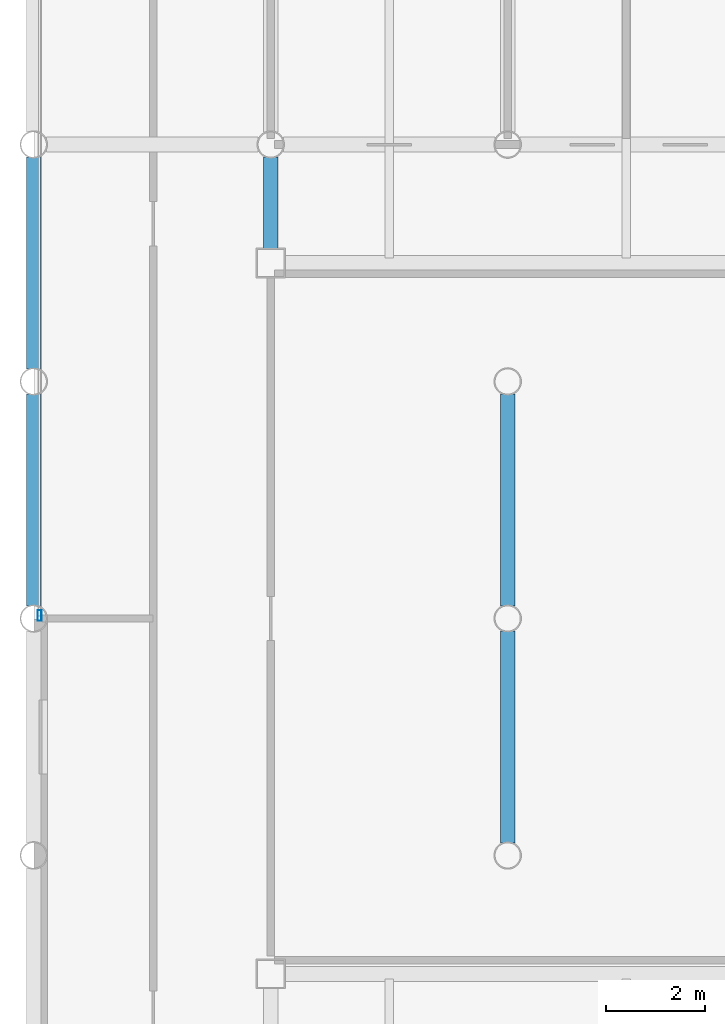
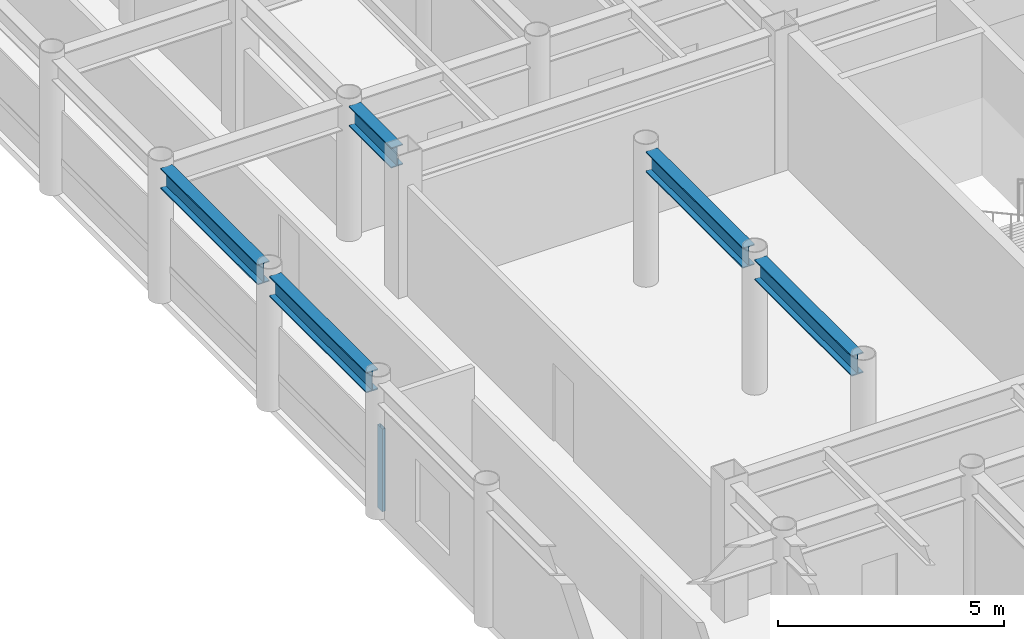
# One storey, part 6 of 22: 5 beams, 1 member, 1 element without a shape of its own.
"""IFC4 building model written with IfcOpenShell, lengths in metres."""

import ifcopenshell
import ifcopenshell.guid

model = None  # the IFC model being written
_history = None  # IfcOwnerHistory: only IFC2X3 demands one
_inside = {}  # id of a spatial element -> (the spatial element, [elements in it])
_under = {}  # id of a project, library or spatial element -> (it, [spatial elements below it])
_declared = {}  # id of a project -> (the project, [libraries it declares])
_typed = {}  # id of a type object -> (the type object, [elements of that type])
_made_of = {}  # id of a material, layer set ... -> (it, [elements and type objects made of it])


def new_model(schema):
    """Start an empty IFC model of exactly this schema.

    Asked for "IFC4X3", IfcOpenShell would pick the latest addendum, in which some entities
    have other attributes; the version numbers below select the first issue.
    IFC2X3 requires an IfcOwnerHistory on every rooted entity: one is made here for all.
    """
    global model, _history
    if schema == "IFC4X3":
        model = ifcopenshell.file(schema_version=(4, 3, 0, 0))
    else:
        model = ifcopenshell.file(schema=schema)
    _inside.clear()
    _under.clear()
    _declared.clear()
    _typed.clear()
    _made_of.clear()
    _history = None
    if model.schema == "IFC2X3":
        org = make("IfcOrganization", Name="unknown")
        user = make(
            "IfcPersonAndOrganization",
            ThePerson=make("IfcPerson", FamilyName="unknown"),
            TheOrganization=org,
        )
        app = make(
            "IfcApplication",
            ApplicationDeveloper=org,
            Version="unknown",
            ApplicationFullName="unknown",
            ApplicationIdentifier="unknown",
        )
        _history = make(
            "IfcOwnerHistory",
            OwningUser=user,
            OwningApplication=app,
            ChangeAction="ADDED",
            CreationDate=0,
        )
    return model


def make(cls, **values):
    """One entity of the class cls with the attributes given. An attribute that is None is left unset."""
    return model.create_entity(
        cls, **{name: value for name, value in values.items() if value is not None}
    )


def rooted(cls, **values):
    """An entity with a GlobalId (a new one), such as an element, a storey or a relation."""
    return make(cls, GlobalId=ifcopenshell.guid.new(), OwnerHistory=_history, **values)


def si_unit(unit_type, name, prefix=None):
    """IfcSIUnit, for example si_unit("LENGTHUNIT", "METRE", prefix="MILLI")."""
    return make("IfcSIUnit", UnitType=unit_type, Prefix=prefix, Name=name)


def assignment(units):
    """IfcUnitAssignment: the units of a project."""
    return None if units is None else make("IfcUnitAssignment", Units=units)


def point(xyz):
    """IfcCartesianPoint."""
    return None if xyz is None else make("IfcCartesianPoint", Coordinates=xyz)


def direction(xyz):
    """IfcDirection."""
    return None if xyz is None else make("IfcDirection", DirectionRatios=xyz)


def frame(location, z_axis=None, x_axis=None):
    """IfcAxis2Placement3D, a coordinate frame: its origin and axes. An axis left out is left unset."""
    return make(
        "IfcAxis2Placement3D",
        Location=point(location),
        Axis=direction(z_axis),
        RefDirection=direction(x_axis),
    )


def frame_2d(location, x_axis=None):
    """IfcAxis2Placement2D, a coordinate frame in the plane: its origin and x axis."""
    return make(
        "IfcAxis2Placement2D", Location=point(location), RefDirection=direction(x_axis)
    )


def origin():
    """The frame at (0, 0, 0) with its axes left unset."""
    return frame((0.0, 0.0, 0.0))


def origin_2d():
    """The frame at (0, 0) in the plane with its x axis left unset."""
    return frame_2d((0.0, 0.0))


def place(relative_to, where):
    """IfcLocalPlacement: puts the frame where relative to a parent placement (None: the world)."""
    return make(
        "IfcLocalPlacement", PlacementRelTo=relative_to, RelativePlacement=where
    )


def context(
    kind, dimensions, precision=None, world=None, true_north=None, identifier=None
):
    """IfcGeometricRepresentationContext, for example the 3D "Model" context."""
    return make(
        "IfcGeometricRepresentationContext",
        ContextIdentifier=identifier,
        ContextType=kind,
        CoordinateSpaceDimension=dimensions,
        Precision=precision,
        WorldCoordinateSystem=world,
        TrueNorth=true_north,
    )


def subcontext(parent, identifier, kind, view, scale=None):
    """IfcGeometricRepresentationSubContext, for example "Body" below "Model"."""
    return make(
        "IfcGeometricRepresentationSubContext",
        ContextIdentifier=identifier,
        ContextType=kind,
        ParentContext=parent,
        TargetScale=scale,
        TargetView=view,
    )


def project(units=None, contexts=None):
    """IfcProject with its units and contexts."""
    return rooted(
        "IfcProject",
        Name="project",
        RepresentationContexts=contexts,
        UnitsInContext=assignment(units),
    )


def spatial(cls, under=None, at=None, **own):
    """A site, building, storey or space (cls), placed at a placement, below another one or the project."""
    s = rooted(cls, ObjectPlacement=at, **own)
    if under is not None:
        _under.setdefault(under.id(), (under, []))[1].append(s)
    return s


def profile(cls, at=None, kind="AREA", **sizes):
    """A parametric profile (cls). Its sizes go by their IFC names, for example OverallWidth=200.0."""
    return make(cls, ProfileType=kind, Position=at, **sizes)


def hollow_rectangle(**sizes):
    """IfcRectangleHollowProfileDef."""
    return profile("IfcRectangleHollowProfileDef", **sizes)


def i_section(**sizes):
    """IfcIShapeProfileDef."""
    return profile("IfcIShapeProfileDef", **sizes)


def extrude(swept, where, along, depth):
    """IfcExtrudedAreaSolid: the profile swept, set in the frame where, extruded along a direction by depth."""
    return make(
        "IfcExtrudedAreaSolid",
        SweptArea=swept,
        Position=where,
        ExtrudedDirection=direction(along),
        Depth=depth,
    )


def shape(context_of_items, identifier, shape_type, items):
    """IfcShapeRepresentation: the items that make up one representation, for example the "Body"."""
    return make(
        "IfcShapeRepresentation",
        ContextOfItems=context_of_items,
        RepresentationIdentifier=identifier,
        RepresentationType=shape_type,
        Items=items,
    )


def material(Name=None, Category=None):
    """IfcMaterial."""
    return make("IfcMaterial", Name=Name, Category=Category)


def layer(
    of_material, thickness, ventilated=None, Name=None, Category=None, Priority=None
):
    """IfcMaterialLayer: one layer of a wall or slab, of a material (None: an air gap)."""
    return make(
        "IfcMaterialLayer",
        Material=of_material,
        LayerThickness=thickness,
        IsVentilated=ventilated,
        Name=Name,
        Category=Category,
        Priority=Priority,
    )


def layer_set(layers, Name=None):
    """IfcMaterialLayerSet."""
    return make("IfcMaterialLayerSet", MaterialLayers=layers, LayerSetName=Name)


def material_profile(
    of_material, cross_section, Name=None, Category=None, Priority=None
):
    """IfcMaterialProfile: a cross section and its material."""
    return make(
        "IfcMaterialProfile",
        Name=Name,
        Material=of_material,
        Profile=cross_section,
        Priority=Priority,
        Category=Category,
    )


def profile_set(profiles, Name=None, composite=None):
    """IfcMaterialProfileSet."""
    return make(
        "IfcMaterialProfileSet",
        Name=Name,
        MaterialProfiles=profiles,
        CompositeProfile=composite,
    )


def made_of(thing, what):
    """Note that an element or type object is made of a material, layer set ...; save() writes the relation."""
    if what is not None:
        _made_of.setdefault(what.id(), (what, []))[1].append(thing)
    return thing


def type_object(cls, material=None, **own):
    """A type object (cls), such as IfcWallType, which elements share."""
    return made_of(rooted(cls, **own), material)


def element(
    cls,
    number,
    at=None,
    inside=None,
    cuts=None,
    type_object=None,
    material=None,
    context=None,
    identifier="Body",
    shape_type=None,
    held_by="IfcProductDefinitionShape",
    body=None,
    shapes=None,
    **own,
):
    """One element of the class cls, such as IfcWall. Its Tag is "e" and its number.

    at: its placement. inside: the storey or other place that contains it. cuts: it is an
    opening in that element (IfcRelVoidsElement). A single representation is given by context,
    identifier, shape_type and body (its items); several are given by shapes. held_by: the class
    of the entity that holds the representations. save() writes the other relations.
    """
    e = rooted(cls, Tag="e%d" % number, ObjectPlacement=at, **own)
    if body is not None:
        shapes = [shape(context, identifier, shape_type, body)]
    if shapes is not None:
        e.Representation = make(held_by, Representations=shapes)
    if inside is not None:
        _inside.setdefault(inside.id(), (inside, []))[1].append(e)
    if cuts is not None:
        rooted(
            "IfcRelVoidsElement", RelatingBuildingElement=cuts, RelatedOpeningElement=e
        )
    if type_object is not None:
        _typed.setdefault(type_object.id(), (type_object, []))[1].append(e)
    return made_of(e, material)


def aggregate(whole, parts):
    """IfcRelAggregates: a whole, such as a stair, and the parts it consists of."""
    return rooted("IfcRelAggregates", RelatingObject=whole, RelatedObjects=parts)


def save(model, path):
    """Write the relations noted so far, then the file.

    IfcRelAggregates (storeys below a building ...), IfcRelContainedInSpatialStructure (elements
    in a storey), IfcRelDefinesByType, IfcRelAssociatesMaterial and IfcRelDeclares: one each for
    every whole, place, type object, material and project.
    """
    for whole, parts in _under.values():
        aggregate(whole, parts)
    for where, things in _inside.values():
        rooted(
            "IfcRelContainedInSpatialStructure",
            RelatedElements=things,
            RelatingStructure=where,
        )
    for kind, things in _typed.values():
        rooted("IfcRelDefinesByType", RelatedObjects=things, RelatingType=kind)
    for what, things in _made_of.values():
        rooted("IfcRelAssociatesMaterial", RelatedObjects=things, RelatingMaterial=what)
    for by, libraries in _declared.values():
        rooted("IfcRelDeclares", RelatingContext=by, RelatedDefinitions=libraries)
    model.write(path)


model = new_model("IFC4")

# Units and contexts
model_context = context("Model", 3, precision=1e-05, world=origin(), true_north=direction((0.0, 1.0)))
body_context = subcontext(model_context, "Body", "Model", "MODEL_VIEW")
ifc_project = project(units=[si_unit("LENGTHUNIT", "METRE"), si_unit("AREAUNIT", "SQUARE_METRE"), si_unit("VOLUMEUNIT", "CUBIC_METRE"), si_unit("PLANEANGLEUNIT", "RADIAN"), si_unit("MASSUNIT", "GRAM", prefix="KILO")], contexts=[model_context])

# Site, building, storey
site_placement = place(None, origin())
site = spatial("IfcSite", under=ifc_project, at=site_placement, CompositionType="ELEMENT")
building_placement = place(site_placement, origin())
building = spatial("IfcBuilding", under=site, at=building_placement, Name="Kallvorn Hotel Tower", CompositionType="ELEMENT")
storey_placement = place(building_placement, frame((0.0, 0.0, 226.14990234375)))
storey = spatial("IfcBuildingStorey", under=building, at=storey_placement, Name="L56", CompositionType="ELEMENT", Elevation=226.14990234375)

# Beams
ifc_material_1 = material(Name="Structural steel S355JR", Category="steel")
ifc_material_profile_1 = material_profile(ifc_material_1, i_section(OverallWidth=0.300048828125, OverallDepth=0.550048828125, WebThickness=0.014892578125, FlangeThickness=0.029052734375, at=origin_2d()), Name="HE 550 B")
ifc_profile_set_1 = profile_set([ifc_material_profile_1], Name="Structural steel S355JR")
beam_type = type_object("IfcBeamType", Name="BM_HE550B", PredefinedType="SPANDREL", material=ifc_profile_set_1)
for number, where, z_axis, x_axis, name in (
    (1, (-28.800048828125, 0.25439453125, 3.39501953125), (0.0, 1.0, 0.0), (-1.0, 0.0, 0.0), "L57 Primary Y-Girder 77"),
    (2, (-28.800048828125, 5.054443359375, 3.39501953125), (0.0, 1.0, 0.0), (-1.0, 0.0, 0.0), "L57 Primary Y-Girder 78"),
):
    element("IfcBeam", number, at=place(storey_placement, frame(where, z_axis=z_axis, x_axis=x_axis)), inside=storey, type_object=beam_type, Name=name, PredefinedType="SPANDREL", context=body_context, shape_type="SweptSolid", body=[
        extrude(i_section(OverallWidth=0.300048828125, OverallDepth=0.550048828125, WebThickness=0.014892578125, FlangeThickness=0.029052734375, at=origin_2d()), origin(), (0.0, 0.0, 1.0), 4.291015625),
    ])
beam_placement = place(storey_placement, frame((-24.0, 7.47509765625, 3.39501953125), z_axis=(0.0, 1.0, 0.0), x_axis=(-1.0, 0.0, 0.0)))
element("IfcBeam", 3, at=beam_placement, inside=storey, type_object=beam_type, Name="L57 Primary Y-Girder 84", PredefinedType="SPANDREL", context=body_context, shape_type="SweptSolid", body=[
    extrude(i_section(OverallWidth=0.300048828125, OverallDepth=0.550048828125, WebThickness=0.014892578125, FlangeThickness=0.029052734375, at=origin_2d()), origin(), (0.0, 0.0, 1.0), 1.870361328125),
])
for number, where, z_axis, x_axis, name in (
    (4, (-19.199951171875, -4.54541015625, 3.39501953125), (0.0, 1.0, 0.0), (-1.0, 0.0, 0.0), "L57 Primary Y-Girder 91"),
    (5, (-19.199951171875, 0.25439453125, 3.39501953125), (0.0, 1.0, 0.0), (-1.0, 0.0, 0.0), "L57 Primary Y-Girder 92"),
):
    element("IfcBeam", number, at=place(storey_placement, frame(where, z_axis=z_axis, x_axis=x_axis)), inside=storey, type_object=beam_type, Name=name, PredefinedType="SPANDREL", context=body_context, shape_type="SweptSolid", body=[
        extrude(i_section(OverallWidth=0.300048828125, OverallDepth=0.550048828125, WebThickness=0.014892578125, FlangeThickness=0.029052734375, at=origin_2d()), origin(), (0.0, 0.0, 1.0), 4.291015625),
    ])

# Curtain wall, member
ifc_material_2 = material(Name="Thermally broken black-anodised aluminium AA 6063-T6", Category="aluminium")
ifc_layer = layer(ifc_material_2, 0.22998046875)
ifc_layer_set = layer_set([ifc_layer], Name="CW_SYS_5_HOTEL_HIGH")
curtain_wall_type = type_object("IfcCurtainWallType", Name="CW_SYS_5_HOTEL_HIGH", PredefinedType="USERDEFINED", material=ifc_layer_set)
curtain_wall_placement = place(storey_placement, origin())
curtain_wall = element("IfcCurtainWall", 6, at=curtain_wall_placement, inside=storey, type_object=curtain_wall_type, Name="L56 Dark-Glass Curtain Wall CW-L56-WN", ObjectType="UNITISED CURTAIN WALL", PredefinedType="USERDEFINED")
ifc_material_3 = material(Name="Thermally broken black-anodised aluminium AA 6063-T6", Category="aluminium")
ifc_material_profile_2 = material_profile(ifc_material_3, hollow_rectangle(XDim=0.080078125, YDim=0.219970703125, WallThickness=0.0048828125, at=origin_2d()), Name="MUL 220x80")
ifc_profile_set_2 = profile_set([ifc_material_profile_2], Name="Thermally broken black-anodised aluminium AA 6063-T6")
member_type = type_object("IfcMemberType", Name="CW_MULLION_220x80", PredefinedType="MULLION", material=ifc_profile_set_2)
member_placement = place(storey_placement, frame((-28.679931640625, 0.06005859375, 0.02001953125), z_axis=(0.0, 0.0, 1.0), x_axis=(1.0, 0.0, 0.0)))
member = element("IfcMember", 7, at=member_placement, type_object=member_type, Name="CW-L56-WN Mullion 00", PredefinedType="MULLION", context=body_context, shape_type="SweptSolid", body=[
    extrude(hollow_rectangle(XDim=0.080078125, YDim=0.219970703125, WallThickness=0.0048828125, at=origin_2d()), origin(), (0.0, 0.0, 1.0), 2.22998046875),
])
aggregate(curtain_wall, [member])

save(model, "model.ifc")
